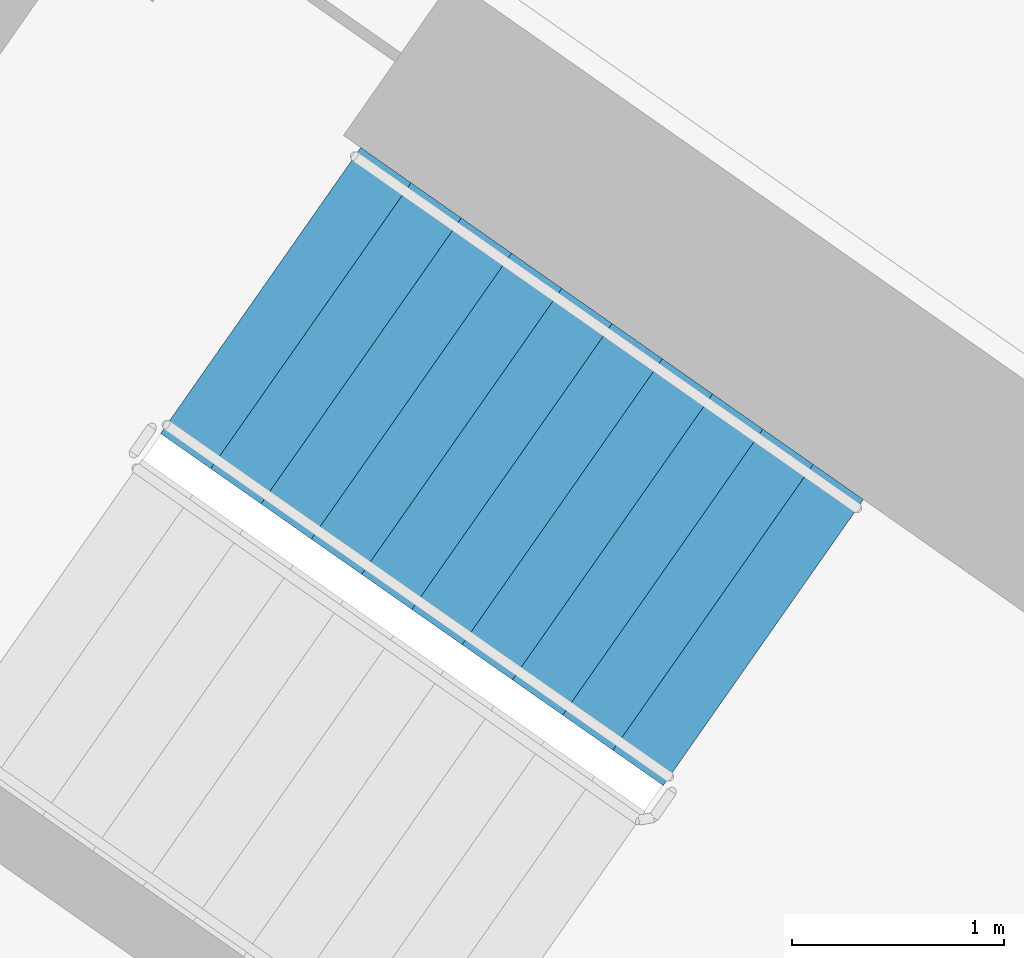
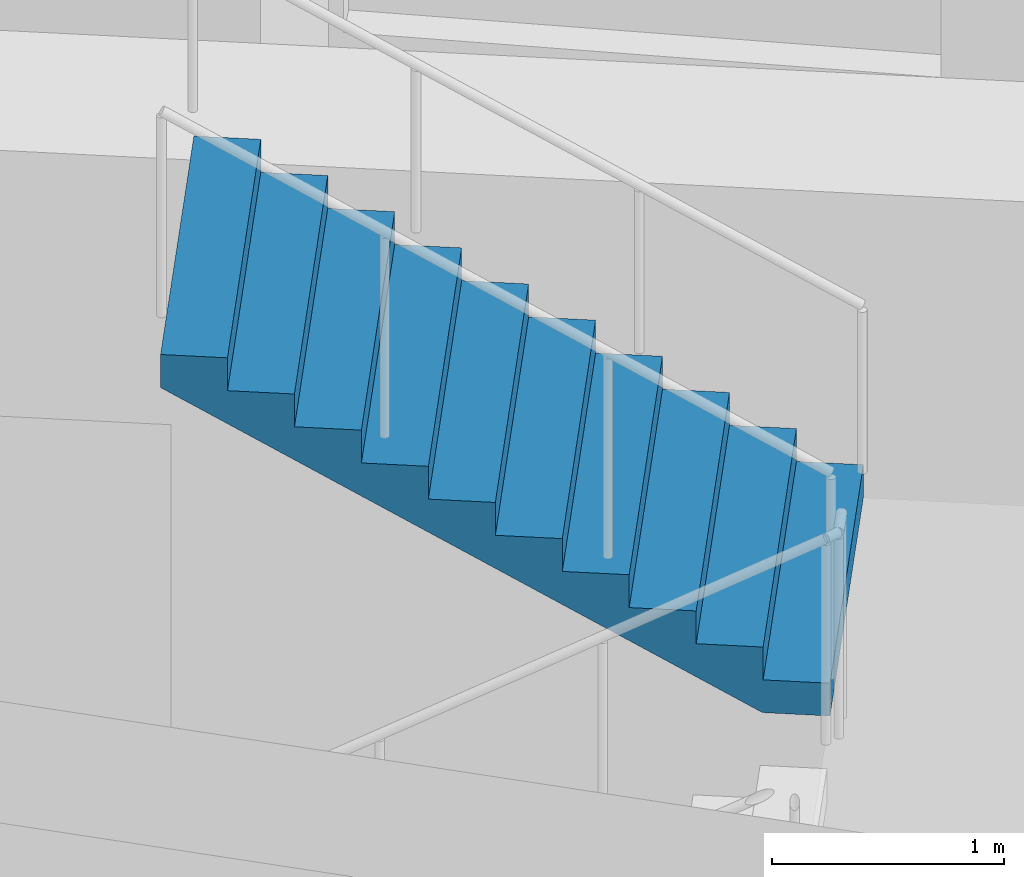
# One storey, part 14 of 29: 1 stair flight, 1 element without a shape of its own.
"""IFC4 building model written with IfcOpenShell, lengths in metres."""

from ifc_helpers import new_model, si_unit, direction, frame, origin, place, context, subcontext, project, spatial, faceted_brep, material, type_object, element, aggregate, save


model = new_model("IFC4")

# Units and contexts
model_context = context("Model", 3, precision=1e-05, world=origin(), true_north=direction((0.0, 1.0)))
body_context = subcontext(model_context, "Body", "Model", "MODEL_VIEW")
ifc_project = project(units=[si_unit("LENGTHUNIT", "METRE"), si_unit("AREAUNIT", "SQUARE_METRE"), si_unit("VOLUMEUNIT", "CUBIC_METRE"), si_unit("PLANEANGLEUNIT", "RADIAN"), si_unit("MASSUNIT", "GRAM", prefix="KILO")], contexts=[model_context])

# Site, building, storey
site_placement = place(None, origin())
site = spatial("IfcSite", under=ifc_project, at=site_placement, CompositionType="ELEMENT")
building_placement = place(site_placement, origin())
building = spatial("IfcBuilding", under=site, at=building_placement, Name="Qamariyya Broadcast Tower", CompositionType="ELEMENT")
storey_placement = place(building_placement, frame((0.0, 0.0, 129.10009765625)))
storey = spatial("IfcBuildingStorey", under=building, at=storey_placement, Name="L29", CompositionType="ELEMENT", Elevation=129.10009765625)

# Stair, stair flight
ifc_material = material(Name="Concrete C50/60", Category="concrete")
stair_type = type_object("IfcStairType", Name="Exit stair 22 risers of 173 mm", PredefinedType="HALF_TURN_STAIR", material=ifc_material)
stair_placement = place(storey_placement, origin())
stair = element("IfcStair", 1, at=stair_placement, inside=storey, type_object=stair_type, Name="L29 Stair W2", PredefinedType="HALF_TURN_STAIR")
stair_flight_type = type_object("IfcStairFlightType", Name="Exit stair flight 11 risers of 173 mm", PredefinedType="STRAIGHT", material=ifc_material)
stair_flight_placement = place(storey_placement, frame((-38.18310546875, -49.3486328125, 1.89990234375), z_axis=(0.0, 0.0, 1.0), x_axis=(-0.819152044289, 0.573576436351, 0.0)))
stair_flight = element("IfcStairFlight", 2, at=stair_flight_placement, type_object=stair_flight_type, Name="ST-W2 flight 2", NumberOfRisers=11, NumberOfTreads=10, PredefinedType="STRAIGHT", RiserHeight=0.172727273, TreadLength=0.29, context=body_context, shape_type="Brep", body=[
    faceted_brep([(0.0, 0.824951171875, 0.0), (0.0, 0.824951171875, 0.172607421875), (0.2900390625, 0.824951171875, 0.172607421875), (0.2900390625, 0.824951171875, 0.345458984375), (0.580078125, 0.824951171875, 0.345458984375), (0.580078125, 0.824951171875, 0.51806640625), (0.8701171875, 0.824951171875, 0.51806640625), (0.8701171875, 0.824951171875, 0.69091796875), (1.159912109375, 0.824951171875, 0.69091796875), (1.159912109375, 0.824951171875, 0.863525390625), (1.449951171875, 0.824951171875, 0.863525390625), (1.449951171875, 0.824951171875, 1.036376953125), (1.739990234375, 0.824951171875, 1.036376953125), (1.739990234375, 0.824951171875, 1.208984375), (2.030029296875, 0.824951171875, 1.208984375), (2.030029296875, 0.824951171875, 1.3818359375), (2.320068359375, 0.824951171875, 1.3818359375), (2.320068359375, 0.824951171875, 1.554443359375), (2.610107421875, 0.824951171875, 1.554443359375), (2.610107421875, 0.824951171875, 1.727294921875), (2.89990234375, 0.824951171875, 1.727294921875), (2.89990234375, 0.824951171875, 1.552734375), (0.29296875, 0.824951171875, 0.0), (0.29296875, -0.824951171875, 0.0), (2.89990234375, -0.824951171875, 1.552734375), (2.89990234375, -0.824951171875, 1.727294921875), (2.610107421875, -0.824951171875, 1.727294921875), (2.610107421875, -0.824951171875, 1.554443359375), (2.320068359375, -0.824951171875, 1.554443359375), (2.320068359375, -0.824951171875, 1.3818359375), (2.030029296875, -0.824951171875, 1.3818359375), (2.030029296875, -0.824951171875, 1.208984375), (1.739990234375, -0.824951171875, 1.208984375), (1.739990234375, -0.824951171875, 1.036376953125), (1.449951171875, -0.824951171875, 1.036376953125), (1.449951171875, -0.824951171875, 0.863525390625), (1.159912109375, -0.824951171875, 0.863525390625), (1.159912109375, -0.824951171875, 0.69091796875), (0.8701171875, -0.824951171875, 0.69091796875), (0.8701171875, -0.824951171875, 0.51806640625), (0.580078125, -0.824951171875, 0.51806640625), (0.580078125, -0.824951171875, 0.345458984375), (0.2900390625, -0.824951171875, 0.345458984375), (0.2900390625, -0.824951171875, 0.172607421875), (0.0, -0.824951171875, 0.172607421875), (0.0, -0.824951171875, 0.0), (0.0, 0.10009765625, 0.0), (0.0, 0.086669921875, 0.0), (0.0, 0.0732421875, 0.0), (0.0, 0.06005859375, 0.0), (0.0, 0.046630859375, 0.0), (0.0, 0.033447265625, 0.0), (0.0, 0.02001953125, 0.0), (0.0, 0.006591796875, 0.0), (0.0, -0.006591796875, 0.0), (0.0, -0.02001953125, 0.0), (0.0, -0.033447265625, 0.0), (0.0, -0.046630859375, 0.0), (0.0, -0.06005859375, 0.0), (0.0, -0.0732421875, 0.0), (0.0, -0.086669921875, 0.0), (0.0, -0.10009765625, 0.0), (0.0, -0.10009765625, 0.172607421875), (0.0, -0.086669921875, 0.172607421875), (0.0, -0.0732421875, 0.172607421875), (0.0, -0.06005859375, 0.172607421875), (0.0, -0.046630859375, 0.172607421875), (0.0, -0.033447265625, 0.172607421875), (0.0, -0.02001953125, 0.172607421875), (0.0, -0.006591796875, 0.172607421875), (0.0, 0.006591796875, 0.172607421875), (0.0, 0.02001953125, 0.172607421875), (0.0, 0.033447265625, 0.172607421875), (0.0, 0.046630859375, 0.172607421875), (0.0, 0.06005859375, 0.172607421875), (0.0, 0.0732421875, 0.172607421875), (0.0, 0.086669921875, 0.172607421875), (0.0, 0.10009765625, 0.172607421875), (0.2900390625, -0.10009765625, 0.172607421875), (0.2900390625, -0.086669921875, 0.172607421875), (0.2900390625, -0.0732421875, 0.172607421875), (0.2900390625, -0.06005859375, 0.172607421875), (0.2900390625, -0.046630859375, 0.172607421875), (0.2900390625, -0.033447265625, 0.172607421875), (0.2900390625, -0.02001953125, 0.172607421875), (0.2900390625, -0.006591796875, 0.172607421875), (0.2900390625, 0.006591796875, 0.172607421875), (0.2900390625, 0.02001953125, 0.172607421875), (0.2900390625, 0.033447265625, 0.172607421875), (0.2900390625, 0.046630859375, 0.172607421875), (0.2900390625, 0.06005859375, 0.172607421875), (0.2900390625, 0.0732421875, 0.172607421875), (0.2900390625, 0.086669921875, 0.172607421875), (0.2900390625, 0.10009765625, 0.172607421875), (0.2900390625, -0.10009765625, 0.345458984375), (0.2900390625, -0.086669921875, 0.345458984375), (0.2900390625, -0.0732421875, 0.345458984375), (0.2900390625, -0.06005859375, 0.345458984375), (0.2900390625, -0.046630859375, 0.345458984375), (0.2900390625, -0.033447265625, 0.345458984375), (0.2900390625, -0.02001953125, 0.345458984375), (0.2900390625, -0.006591796875, 0.345458984375), (0.2900390625, 0.006591796875, 0.345458984375), (0.2900390625, 0.02001953125, 0.345458984375), (0.2900390625, 0.033447265625, 0.345458984375), (0.2900390625, 0.046630859375, 0.345458984375), (0.2900390625, 0.06005859375, 0.345458984375), (0.2900390625, 0.0732421875, 0.345458984375), (0.2900390625, 0.086669921875, 0.345458984375), (0.2900390625, 0.10009765625, 0.345458984375), (0.580078125, -0.10009765625, 0.345458984375), (0.580078125, -0.086669921875, 0.345458984375), (0.580078125, -0.0732421875, 0.345458984375), (0.580078125, -0.06005859375, 0.345458984375), (0.580078125, -0.046630859375, 0.345458984375), (0.580078125, -0.033447265625, 0.345458984375), (0.580078125, -0.02001953125, 0.345458984375), (0.580078125, -0.006591796875, 0.345458984375), (0.580078125, 0.006591796875, 0.345458984375), (0.580078125, 0.02001953125, 0.345458984375), (0.580078125, 0.033447265625, 0.345458984375), (0.580078125, 0.046630859375, 0.345458984375), (0.580078125, 0.06005859375, 0.345458984375), (0.580078125, 0.0732421875, 0.345458984375), (0.580078125, 0.086669921875, 0.345458984375), (0.580078125, 0.10009765625, 0.345458984375), (0.580078125, -0.10009765625, 0.51806640625), (0.580078125, -0.086669921875, 0.51806640625), (0.580078125, -0.0732421875, 0.51806640625), (0.580078125, -0.06005859375, 0.51806640625), (0.580078125, -0.046630859375, 0.51806640625), (0.580078125, -0.033447265625, 0.51806640625), (0.580078125, -0.02001953125, 0.51806640625), (0.580078125, -0.006591796875, 0.51806640625), (0.580078125, 0.006591796875, 0.51806640625), (0.580078125, 0.02001953125, 0.51806640625), (0.580078125, 0.033447265625, 0.51806640625), (0.580078125, 0.046630859375, 0.51806640625), (0.580078125, 0.06005859375, 0.51806640625), (0.580078125, 0.0732421875, 0.51806640625), (0.580078125, 0.086669921875, 0.51806640625), (0.580078125, 0.10009765625, 0.51806640625), (0.8701171875, -0.10009765625, 0.51806640625), (0.8701171875, -0.086669921875, 0.51806640625), (0.8701171875, -0.0732421875, 0.51806640625), (0.8701171875, -0.06005859375, 0.51806640625), (0.8701171875, -0.046630859375, 0.51806640625), (0.8701171875, -0.033447265625, 0.51806640625), (0.8701171875, -0.02001953125, 0.51806640625), (0.8701171875, -0.006591796875, 0.51806640625), (0.8701171875, 0.006591796875, 0.51806640625), (0.8701171875, 0.02001953125, 0.51806640625), (0.8701171875, 0.033447265625, 0.51806640625), (0.8701171875, 0.046630859375, 0.51806640625), (0.8701171875, 0.06005859375, 0.51806640625), (0.8701171875, 0.0732421875, 0.51806640625), (0.8701171875, 0.086669921875, 0.51806640625), (0.8701171875, 0.10009765625, 0.51806640625), (0.8701171875, -0.10009765625, 0.69091796875), (0.8701171875, -0.086669921875, 0.69091796875), (0.8701171875, -0.0732421875, 0.69091796875), (0.8701171875, -0.06005859375, 0.69091796875), (0.8701171875, -0.046630859375, 0.69091796875), (0.8701171875, -0.033447265625, 0.69091796875), (0.8701171875, -0.02001953125, 0.69091796875), (0.8701171875, -0.006591796875, 0.69091796875), (0.8701171875, 0.006591796875, 0.69091796875), (0.8701171875, 0.02001953125, 0.69091796875), (0.8701171875, 0.033447265625, 0.69091796875), (0.8701171875, 0.046630859375, 0.69091796875), (0.8701171875, 0.06005859375, 0.69091796875), (0.8701171875, 0.0732421875, 0.69091796875), (0.8701171875, 0.086669921875, 0.69091796875), (0.8701171875, 0.10009765625, 0.69091796875), (1.159912109375, -0.10009765625, 0.69091796875), (1.159912109375, -0.086669921875, 0.69091796875), (1.159912109375, -0.0732421875, 0.69091796875), (1.159912109375, -0.06005859375, 0.69091796875), (1.159912109375, -0.046630859375, 0.69091796875), (1.159912109375, -0.033447265625, 0.69091796875), (1.159912109375, -0.02001953125, 0.69091796875), (1.159912109375, -0.006591796875, 0.69091796875), (1.159912109375, 0.006591796875, 0.69091796875), (1.159912109375, 0.02001953125, 0.69091796875), (1.159912109375, 0.033447265625, 0.69091796875), (1.159912109375, 0.046630859375, 0.69091796875), (1.159912109375, 0.06005859375, 0.69091796875), (1.159912109375, 0.0732421875, 0.69091796875), (1.159912109375, 0.086669921875, 0.69091796875), (1.159912109375, 0.10009765625, 0.69091796875), (1.159912109375, -0.10009765625, 0.863525390625), (1.159912109375, -0.086669921875, 0.863525390625), (1.159912109375, -0.0732421875, 0.863525390625), (1.159912109375, -0.06005859375, 0.863525390625), (1.159912109375, -0.046630859375, 0.863525390625), (1.159912109375, -0.033447265625, 0.863525390625), (1.159912109375, -0.02001953125, 0.863525390625), (1.159912109375, -0.006591796875, 0.863525390625), (1.159912109375, 0.006591796875, 0.863525390625), (1.159912109375, 0.02001953125, 0.863525390625), (1.159912109375, 0.033447265625, 0.863525390625), (1.159912109375, 0.046630859375, 0.863525390625), (1.159912109375, 0.06005859375, 0.863525390625), (1.159912109375, 0.0732421875, 0.863525390625), (1.159912109375, 0.086669921875, 0.863525390625), (1.159912109375, 0.10009765625, 0.863525390625), (1.449951171875, -0.10009765625, 0.863525390625), (1.449951171875, -0.086669921875, 0.863525390625), (1.449951171875, -0.0732421875, 0.863525390625), (1.449951171875, -0.06005859375, 0.863525390625), (1.449951171875, -0.046630859375, 0.863525390625), (1.449951171875, -0.033447265625, 0.863525390625), (1.449951171875, -0.02001953125, 0.863525390625), (1.449951171875, -0.006591796875, 0.863525390625), (1.449951171875, 0.006591796875, 0.863525390625), (1.449951171875, 0.02001953125, 0.863525390625), (1.449951171875, 0.033447265625, 0.863525390625), (1.449951171875, 0.046630859375, 0.863525390625), (1.449951171875, 0.06005859375, 0.863525390625), (1.449951171875, 0.0732421875, 0.863525390625), (1.449951171875, 0.086669921875, 0.863525390625), (1.449951171875, 0.10009765625, 0.863525390625), (1.449951171875, -0.10009765625, 1.036376953125), (1.449951171875, -0.086669921875, 1.036376953125), (1.449951171875, -0.0732421875, 1.036376953125), (1.449951171875, -0.06005859375, 1.036376953125), (1.449951171875, -0.046630859375, 1.036376953125), (1.449951171875, -0.033447265625, 1.036376953125), (1.449951171875, -0.02001953125, 1.036376953125), (1.449951171875, -0.006591796875, 1.036376953125), (1.449951171875, 0.006591796875, 1.036376953125), (1.449951171875, 0.02001953125, 1.036376953125), (1.449951171875, 0.033447265625, 1.036376953125), (1.449951171875, 0.046630859375, 1.036376953125), (1.449951171875, 0.06005859375, 1.036376953125), (1.449951171875, 0.0732421875, 1.036376953125), (1.449951171875, 0.086669921875, 1.036376953125), (1.449951171875, 0.10009765625, 1.036376953125), (1.739990234375, -0.10009765625, 1.036376953125), (1.739990234375, -0.086669921875, 1.036376953125), (1.739990234375, -0.0732421875, 1.036376953125), (1.739990234375, -0.06005859375, 1.036376953125), (1.739990234375, -0.046630859375, 1.036376953125), (1.739990234375, -0.033447265625, 1.036376953125), (1.739990234375, -0.02001953125, 1.036376953125), (1.739990234375, -0.006591796875, 1.036376953125), (1.739990234375, 0.006591796875, 1.036376953125), (1.739990234375, 0.02001953125, 1.036376953125), (1.739990234375, 0.033447265625, 1.036376953125), (1.739990234375, 0.046630859375, 1.036376953125), (1.739990234375, 0.06005859375, 1.036376953125), (1.739990234375, 0.0732421875, 1.036376953125), (1.739990234375, 0.086669921875, 1.036376953125), (1.739990234375, 0.10009765625, 1.036376953125), (1.739990234375, -0.10009765625, 1.208984375), (1.739990234375, -0.086669921875, 1.208984375), (1.739990234375, -0.0732421875, 1.208984375), (1.739990234375, -0.06005859375, 1.208984375), (1.739990234375, -0.046630859375, 1.208984375), (1.739990234375, -0.033447265625, 1.208984375), (1.739990234375, -0.02001953125, 1.208984375), (1.739990234375, -0.006591796875, 1.208984375), (1.739990234375, 0.006591796875, 1.208984375), (1.739990234375, 0.02001953125, 1.208984375), (1.739990234375, 0.033447265625, 1.208984375), (1.739990234375, 0.046630859375, 1.208984375), (1.739990234375, 0.06005859375, 1.208984375), (1.739990234375, 0.0732421875, 1.208984375), (1.739990234375, 0.086669921875, 1.208984375), (1.739990234375, 0.10009765625, 1.208984375), (2.030029296875, -0.10009765625, 1.208984375), (2.030029296875, -0.086669921875, 1.208984375), (2.030029296875, -0.0732421875, 1.208984375), (2.030029296875, -0.06005859375, 1.208984375), (2.030029296875, -0.046630859375, 1.208984375), (2.030029296875, -0.033447265625, 1.208984375), (2.030029296875, -0.02001953125, 1.208984375), (2.030029296875, -0.006591796875, 1.208984375), (2.030029296875, 0.006591796875, 1.208984375), (2.030029296875, 0.02001953125, 1.208984375), (2.030029296875, 0.033447265625, 1.208984375), (2.030029296875, 0.046630859375, 1.208984375), (2.030029296875, 0.06005859375, 1.208984375), (2.030029296875, 0.0732421875, 1.208984375), (2.030029296875, 0.086669921875, 1.208984375), (2.030029296875, 0.10009765625, 1.208984375), (2.030029296875, -0.10009765625, 1.3818359375), (2.030029296875, -0.086669921875, 1.3818359375), (2.030029296875, -0.0732421875, 1.3818359375), (2.030029296875, -0.06005859375, 1.3818359375), (2.030029296875, -0.046630859375, 1.3818359375), (2.030029296875, -0.033447265625, 1.3818359375), (2.030029296875, -0.02001953125, 1.3818359375), (2.030029296875, -0.006591796875, 1.3818359375), (2.030029296875, 0.006591796875, 1.3818359375), (2.030029296875, 0.02001953125, 1.3818359375), (2.030029296875, 0.033447265625, 1.3818359375), (2.030029296875, 0.046630859375, 1.3818359375), (2.030029296875, 0.06005859375, 1.3818359375), (2.030029296875, 0.0732421875, 1.3818359375), (2.030029296875, 0.086669921875, 1.3818359375), (2.030029296875, 0.10009765625, 1.3818359375), (2.320068359375, -0.10009765625, 1.3818359375), (2.320068359375, -0.086669921875, 1.3818359375), (2.320068359375, -0.0732421875, 1.3818359375), (2.320068359375, -0.06005859375, 1.3818359375), (2.320068359375, -0.046630859375, 1.3818359375), (2.320068359375, -0.033447265625, 1.3818359375), (2.320068359375, -0.02001953125, 1.3818359375), (2.320068359375, -0.006591796875, 1.3818359375), (2.320068359375, 0.006591796875, 1.3818359375), (2.320068359375, 0.02001953125, 1.3818359375), (2.320068359375, 0.033447265625, 1.3818359375), (2.320068359375, 0.046630859375, 1.3818359375), (2.320068359375, 0.06005859375, 1.3818359375), (2.320068359375, 0.0732421875, 1.3818359375), (2.320068359375, 0.086669921875, 1.3818359375), (2.320068359375, 0.10009765625, 1.3818359375), (2.320068359375, -0.10009765625, 1.554443359375), (2.320068359375, -0.086669921875, 1.554443359375), (2.320068359375, -0.0732421875, 1.554443359375), (2.320068359375, -0.06005859375, 1.554443359375), (2.320068359375, -0.046630859375, 1.554443359375), (2.320068359375, -0.033447265625, 1.554443359375), (2.320068359375, -0.02001953125, 1.554443359375), (2.320068359375, -0.006591796875, 1.554443359375), (2.320068359375, 0.006591796875, 1.554443359375), (2.320068359375, 0.02001953125, 1.554443359375), (2.320068359375, 0.033447265625, 1.554443359375), (2.320068359375, 0.046630859375, 1.554443359375), (2.320068359375, 0.06005859375, 1.554443359375), (2.320068359375, 0.0732421875, 1.554443359375), (2.320068359375, 0.086669921875, 1.554443359375), (2.320068359375, 0.10009765625, 1.554443359375), (2.610107421875, -0.10009765625, 1.554443359375), (2.610107421875, -0.086669921875, 1.554443359375), (2.610107421875, -0.0732421875, 1.554443359375), (2.610107421875, -0.06005859375, 1.554443359375), (2.610107421875, -0.046630859375, 1.554443359375), (2.610107421875, -0.033447265625, 1.554443359375), (2.610107421875, -0.02001953125, 1.554443359375), (2.610107421875, -0.006591796875, 1.554443359375), (2.610107421875, 0.006591796875, 1.554443359375), (2.610107421875, 0.02001953125, 1.554443359375), (2.610107421875, 0.033447265625, 1.554443359375), (2.610107421875, 0.046630859375, 1.554443359375), (2.610107421875, 0.06005859375, 1.554443359375), (2.610107421875, 0.0732421875, 1.554443359375), (2.610107421875, 0.086669921875, 1.554443359375), (2.610107421875, 0.10009765625, 1.554443359375), (2.610107421875, -0.10009765625, 1.727294921875), (2.610107421875, -0.086669921875, 1.727294921875), (2.610107421875, -0.0732421875, 1.727294921875), (2.610107421875, -0.06005859375, 1.727294921875), (2.610107421875, -0.046630859375, 1.727294921875), (2.610107421875, -0.033447265625, 1.727294921875), (2.610107421875, -0.02001953125, 1.727294921875), (2.610107421875, -0.006591796875, 1.727294921875), (2.610107421875, 0.006591796875, 1.727294921875), (2.610107421875, 0.02001953125, 1.727294921875), (2.610107421875, 0.033447265625, 1.727294921875), (2.610107421875, 0.046630859375, 1.727294921875), (2.610107421875, 0.06005859375, 1.727294921875), (2.610107421875, 0.0732421875, 1.727294921875), (2.610107421875, 0.086669921875, 1.727294921875), (2.610107421875, 0.10009765625, 1.727294921875), (2.89990234375, -0.10009765625, 1.727294921875), (2.89990234375, -0.086669921875, 1.727294921875), (2.89990234375, -0.0732421875, 1.727294921875), (2.89990234375, -0.06005859375, 1.727294921875), (2.89990234375, -0.046630859375, 1.727294921875), (2.89990234375, -0.033447265625, 1.727294921875), (2.89990234375, -0.02001953125, 1.727294921875), (2.89990234375, -0.006591796875, 1.727294921875), (2.89990234375, 0.006591796875, 1.727294921875), (2.89990234375, 0.02001953125, 1.727294921875), (2.89990234375, 0.033447265625, 1.727294921875), (2.89990234375, 0.046630859375, 1.727294921875), (2.89990234375, 0.06005859375, 1.727294921875), (2.89990234375, 0.0732421875, 1.727294921875), (2.89990234375, 0.086669921875, 1.727294921875), (2.89990234375, 0.10009765625, 1.727294921875), (2.89990234375, -0.10009765625, 1.552734375), (2.89990234375, -0.086669921875, 1.552734375), (2.89990234375, -0.0732421875, 1.552734375), (2.89990234375, -0.06005859375, 1.552734375), (2.89990234375, -0.046630859375, 1.552734375), (2.89990234375, -0.033447265625, 1.552734375), (2.89990234375, -0.02001953125, 1.552734375), (2.89990234375, -0.006591796875, 1.552734375), (2.89990234375, 0.006591796875, 1.552734375), (2.89990234375, 0.02001953125, 1.552734375), (2.89990234375, 0.033447265625, 1.552734375), (2.89990234375, 0.046630859375, 1.552734375), (2.89990234375, 0.06005859375, 1.552734375), (2.89990234375, 0.0732421875, 1.552734375), (2.89990234375, 0.086669921875, 1.552734375), (2.89990234375, 0.10009765625, 1.552734375), (0.29296875, -0.10009765625, 0.0), (0.29296875, -0.086669921875, 0.0), (0.29296875, -0.0732421875, 0.0), (0.29296875, -0.06005859375, 0.0), (0.29296875, -0.046630859375, 0.0), (0.29296875, -0.033447265625, 0.0), (0.29296875, -0.02001953125, 0.0), (0.29296875, -0.006591796875, 0.0), (0.29296875, 0.006591796875, 0.0), (0.29296875, 0.02001953125, 0.0), (0.29296875, 0.033447265625, 0.0), (0.29296875, 0.046630859375, 0.0), (0.29296875, 0.06005859375, 0.0), (0.29296875, 0.0732421875, 0.0), (0.29296875, 0.086669921875, 0.0), (0.29296875, 0.10009765625, 0.0)], [[[0, 1, 2, 3, 4, 5, 6, 7, 8, 9, 10, 11, 12, 13, 14, 15, 16, 17, 18, 19, 20, 21, 22]], [[23, 24, 25, 26, 27, 28, 29, 30, 31, 32, 33, 34, 35, 36, 37, 38, 39, 40, 41, 42, 43, 44, 45]], [[0, 46, 47, 48, 49, 50, 51, 52, 53, 54, 55, 56, 57, 58, 59, 60, 61, 45, 44, 62, 63, 64, 65, 66, 67, 68, 69, 70, 71, 72, 73, 74, 75, 76, 77, 1]], [[1, 77, 76, 75, 74, 73, 72, 71, 70, 69, 68, 67, 66, 65, 64, 63, 62, 44, 43, 78, 79, 80, 81, 82, 83, 84, 85, 86, 87, 88, 89, 90, 91, 92, 93, 2]], [[2, 93, 92, 91, 90, 89, 88, 87, 86, 85, 84, 83, 82, 81, 80, 79, 78, 43, 42, 94, 95, 96, 97, 98, 99, 100, 101, 102, 103, 104, 105, 106, 107, 108, 109, 3]], [[3, 109, 108, 107, 106, 105, 104, 103, 102, 101, 100, 99, 98, 97, 96, 95, 94, 42, 41, 110, 111, 112, 113, 114, 115, 116, 117, 118, 119, 120, 121, 122, 123, 124, 125, 4]], [[4, 125, 124, 123, 122, 121, 120, 119, 118, 117, 116, 115, 114, 113, 112, 111, 110, 41, 40, 126, 127, 128, 129, 130, 131, 132, 133, 134, 135, 136, 137, 138, 139, 140, 141, 5]], [[5, 141, 140, 139, 138, 137, 136, 135, 134, 133, 132, 131, 130, 129, 128, 127, 126, 40, 39, 142, 143, 144, 145, 146, 147, 148, 149, 150, 151, 152, 153, 154, 155, 156, 157, 6]], [[6, 157, 156, 155, 154, 153, 152, 151, 150, 149, 148, 147, 146, 145, 144, 143, 142, 39, 38, 158, 159, 160, 161, 162, 163, 164, 165, 166, 167, 168, 169, 170, 171, 172, 173, 7]], [[7, 173, 172, 171, 170, 169, 168, 167, 166, 165, 164, 163, 162, 161, 160, 159, 158, 38, 37, 174, 175, 176, 177, 178, 179, 180, 181, 182, 183, 184, 185, 186, 187, 188, 189, 8]], [[8, 189, 188, 187, 186, 185, 184, 183, 182, 181, 180, 179, 178, 177, 176, 175, 174, 37, 36, 190, 191, 192, 193, 194, 195, 196, 197, 198, 199, 200, 201, 202, 203, 204, 205, 9]], [[9, 205, 204, 203, 202, 201, 200, 199, 198, 197, 196, 195, 194, 193, 192, 191, 190, 36, 35, 206, 207, 208, 209, 210, 211, 212, 213, 214, 215, 216, 217, 218, 219, 220, 221, 10]], [[10, 221, 220, 219, 218, 217, 216, 215, 214, 213, 212, 211, 210, 209, 208, 207, 206, 35, 34, 222, 223, 224, 225, 226, 227, 228, 229, 230, 231, 232, 233, 234, 235, 236, 237, 11]], [[11, 237, 236, 235, 234, 233, 232, 231, 230, 229, 228, 227, 226, 225, 224, 223, 222, 34, 33, 238, 239, 240, 241, 242, 243, 244, 245, 246, 247, 248, 249, 250, 251, 252, 253, 12]], [[12, 253, 252, 251, 250, 249, 248, 247, 246, 245, 244, 243, 242, 241, 240, 239, 238, 33, 32, 254, 255, 256, 257, 258, 259, 260, 261, 262, 263, 264, 265, 266, 267, 268, 269, 13]], [[13, 269, 268, 267, 266, 265, 264, 263, 262, 261, 260, 259, 258, 257, 256, 255, 254, 32, 31, 270, 271, 272, 273, 274, 275, 276, 277, 278, 279, 280, 281, 282, 283, 284, 285, 14]], [[14, 285, 284, 283, 282, 281, 280, 279, 278, 277, 276, 275, 274, 273, 272, 271, 270, 31, 30, 286, 287, 288, 289, 290, 291, 292, 293, 294, 295, 296, 297, 298, 299, 300, 301, 15]], [[15, 301, 300, 299, 298, 297, 296, 295, 294, 293, 292, 291, 290, 289, 288, 287, 286, 30, 29, 302, 303, 304, 305, 306, 307, 308, 309, 310, 311, 312, 313, 314, 315, 316, 317, 16]], [[16, 317, 316, 315, 314, 313, 312, 311, 310, 309, 308, 307, 306, 305, 304, 303, 302, 29, 28, 318, 319, 320, 321, 322, 323, 324, 325, 326, 327, 328, 329, 330, 331, 332, 333, 17]], [[17, 333, 332, 331, 330, 329, 328, 327, 326, 325, 324, 323, 322, 321, 320, 319, 318, 28, 27, 334, 335, 336, 337, 338, 339, 340, 341, 342, 343, 344, 345, 346, 347, 348, 349, 18]], [[18, 349, 348, 347, 346, 345, 344, 343, 342, 341, 340, 339, 338, 337, 336, 335, 334, 27, 26, 350, 351, 352, 353, 354, 355, 356, 357, 358, 359, 360, 361, 362, 363, 364, 365, 19]], [[19, 365, 364, 363, 362, 361, 360, 359, 358, 357, 356, 355, 354, 353, 352, 351, 350, 26, 25, 366, 367, 368, 369, 370, 371, 372, 373, 374, 375, 376, 377, 378, 379, 380, 381, 20]], [[20, 381, 380, 379, 378, 377, 376, 375, 374, 373, 372, 371, 370, 369, 368, 367, 366, 25, 24, 382, 383, 384, 385, 386, 387, 388, 389, 390, 391, 392, 393, 394, 395, 396, 397, 21]], [[21, 397, 396, 395, 394, 393, 392, 391, 390, 389, 388, 387, 386, 385, 384, 383, 382, 24, 23, 398, 399, 400, 401, 402, 403, 404, 405, 406, 407, 408, 409, 410, 411, 412, 413, 22]], [[22, 413, 412, 411, 410, 409, 408, 407, 406, 405, 404, 403, 402, 401, 400, 399, 398, 23, 45, 61, 60, 59, 58, 57, 56, 55, 54, 53, 52, 51, 50, 49, 48, 47, 46, 0]]]),
])
aggregate(stair, [stair_flight])

save(model, "model.ifc")
